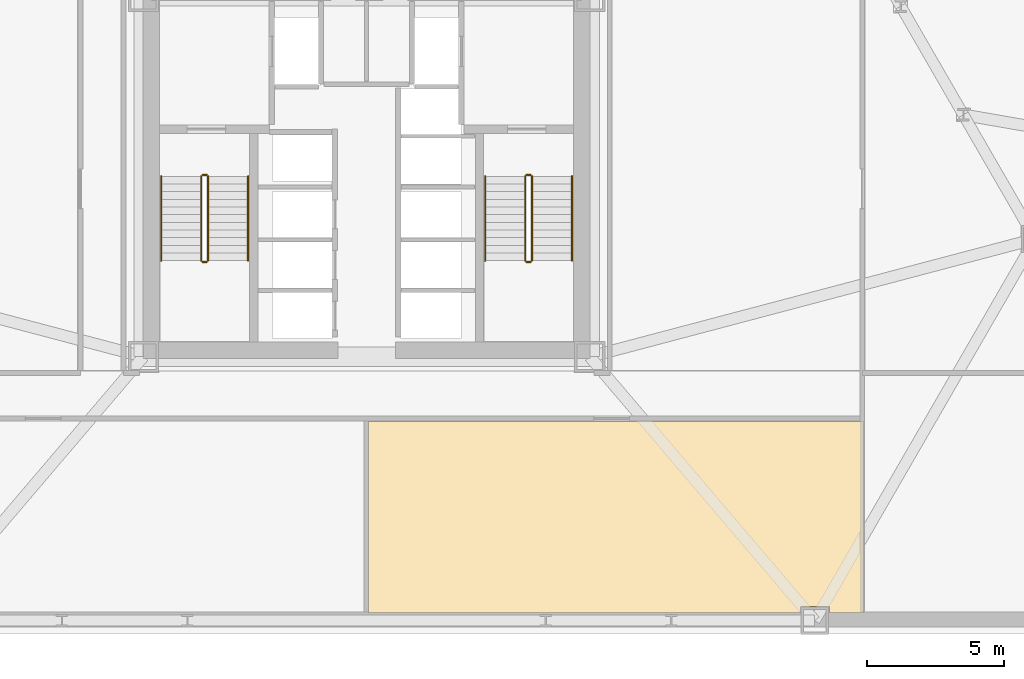
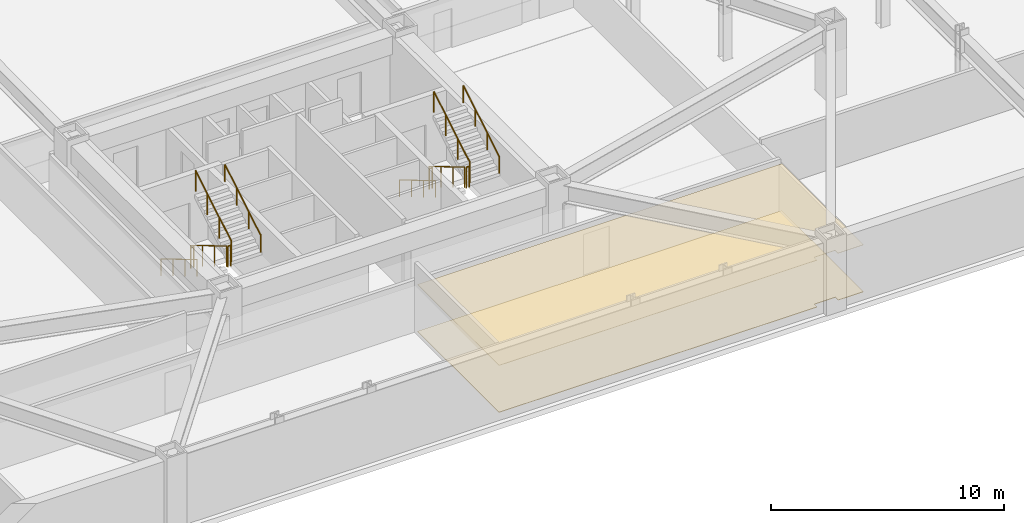
# One storey, part 9 of 10: 12 railings, 2 coverings.
"""IFC4 building model written with IfcOpenShell, lengths in metres."""

from ifc_helpers import new_model, si_unit, direction, frame, origin, origin_2d, place, context, subcontext, project, spatial, polyline, circle, outline, extrude, material, layer, layer_set, type_object, element, save


model = new_model("IFC4")

# Units and contexts
model_context = context("Model", 3, precision=1e-05, world=origin(), true_north=direction((0.0, 1.0)))
body_context = subcontext(model_context, "Body", "Model", "MODEL_VIEW")
ifc_project = project(units=[si_unit("LENGTHUNIT", "METRE"), si_unit("AREAUNIT", "SQUARE_METRE"), si_unit("VOLUMEUNIT", "CUBIC_METRE"), si_unit("PLANEANGLEUNIT", "RADIAN"), si_unit("MASSUNIT", "GRAM", prefix="KILO")], contexts=[model_context])

# Site, building, storey
site_placement = place(None, origin())
site = spatial("IfcSite", under=ifc_project, at=site_placement, CompositionType="ELEMENT")
building_placement = place(site_placement, origin())
building = spatial("IfcBuilding", under=site, at=building_placement, Name="Oramaril Tower", CompositionType="ELEMENT")
storey_placement = place(building_placement, frame((0.0, 0.0, -4.0)))
storey = spatial("IfcBuildingStorey", under=building, at=storey_placement, Name="B01", CompositionType="ELEMENT", Elevation=-4.0)

# Coverings
ifc_material_1 = material(Name="Mineral Fibre Acoustic Ceiling")
ifc_layer_1 = layer(ifc_material_1, 0.02001953125)
ifc_layer_set_1 = layer_set([ifc_layer_1], Name="CVT-CEIL")
covering_type_1 = type_object("IfcCoveringType", Name="CVT-CEIL", PredefinedType="CEILING", material=ifc_layer_set_1)
covering_1_placement = place(storey_placement, frame((0.0, 0.0, 2.4619140625)))
element("IfcCovering", 1, at=covering_1_placement, inside=storey, type_object=covering_type_1, Name="B01 Acoustic Suspended Ceiling 6", PredefinedType="CEILING", context=body_context, shape_type="SweptSolid", body=[
    extrude(outline(polyline([(55.64208984375, 1.637939453125), (54.382080078125, 1.637939453125), (54.382080078125, 1.8798828125), (53.342041015625, 1.8798828125), (53.342041015625, 1.637939453125), (37.56201171875, 1.637939453125), (37.56201171875, 8.64990234375), (55.64208984375, 8.64990234375), (55.64208984375, 1.637939453125)])), origin(), (0.0, 0.0, 1.0), 0.02001953125),
])
ifc_material_2 = material(Name="Honed Quartzite Stone Flooring", Category="masonry")
ifc_layer_2 = layer(ifc_material_2, 0.02490234375)
ifc_layer_set_2 = layer_set([ifc_layer_2], Name="CVT-FLR")
covering_type_2 = type_object("IfcCoveringType", Name="CVT-FLR", PredefinedType="FLOORING", material=ifc_layer_set_2)
covering_2_placement = place(storey_placement, origin())
element("IfcCovering", 2, at=covering_2_placement, inside=storey, type_object=covering_type_2, Name="B01 Honed Stone Floor Finish 6", PredefinedType="FLOORING", context=body_context, shape_type="SweptSolid", body=[
    extrude(outline(polyline([(55.64208984375, 1.637939453125), (54.382080078125, 1.637939453125), (54.382080078125, 1.8798828125), (53.342041015625, 1.8798828125), (53.342041015625, 1.637939453125), (37.56201171875, 1.637939453125), (37.56201171875, 8.64990234375), (55.64208984375, 8.64990234375), (55.64208984375, 1.637939453125)])), origin(), (0.0, 0.0, 1.0), 0.02490234375),
])

# Railings
ifc_material_3 = material(Name="Stainless Steel 316L", Category="steel")
railing_type_1 = type_object("IfcRailingType", Name="RLT-GRD", PredefinedType="GUARDRAIL", material=ifc_material_3)
railing_1_placement = place(storey_placement, frame((31.4599609375, 17.590087890625, 0.166748046875)))
element("IfcRailing", 3, at=railing_1_placement, inside=storey, type_object=railing_type_1, Name="B01 ST-1 stair guard 1", PredefinedType="GUARDRAIL", context=body_context, shape_type="SweptSolid", body=[
    extrude(circle(Radius=0.02392578125, at=origin_2d()), frame((0.0, 0.0, 1.076171875), z_axis=(0.0, -0.859308565015, 0.511457515432), x_axis=(1.0, 0.0, 0.0)), (0.0, 0.0, 1.0), 3.58447265625),
    extrude(circle(Radius=0.02099609375, at=origin_2d()), origin(), (0.0, 0.0, 1.0), 1.052001953125),
    extrude(circle(Radius=0.02099609375, at=origin_2d()), frame((0.0, -1.026611328125, 0.611083984375)), (0.0, 0.0, 1.0), 1.052001953125),
    extrude(circle(Radius=0.02099609375, at=origin_2d()), frame((0.0, -2.053466796875, 1.22216796875)), (0.0, 0.0, 1.0), 1.052001953125),
    extrude(circle(Radius=0.02099609375, at=origin_2d()), frame((0.0, -3.080078125, 1.833251953125)), (0.0, 0.0, 1.0), 1.052001953125),
])
railing_2_placement = place(storey_placement, frame((31.510009765625, 14.4599609375, 2.0)))
element("IfcRailing", 4, at=railing_2_placement, inside=storey, type_object=railing_type_1, Name="B01 ST-1 stair guard 2", PredefinedType="GUARDRAIL", context=body_context, shape_type="SweptSolid", body=[
    extrude(circle(Radius=0.02392578125, at=origin_2d()), frame((0.0, 0.0, 1.076171875), z_axis=(1.0, 0.0, 0.0), x_axis=(0.0, 1.0, 0.0)), (0.0, 0.0, 1.0), 0.14990234375),
    extrude(circle(Radius=0.02099609375, at=origin_2d()), origin(), (0.0, 0.0, 1.0), 1.052001953125),
    extrude(circle(Radius=0.02099609375, at=origin_2d()), frame((0.14990234375, 0.0, 0.0)), (0.0, 0.0, 1.0), 1.052001953125),
])
railing_3_placement = place(storey_placement, frame((31.7099609375, 14.510009765625, 2.166748046875)))
element("IfcRailing", 5, at=railing_3_placement, inside=storey, type_object=railing_type_1, Name="B01 ST-1 stair guard 3", PredefinedType="GUARDRAIL", context=body_context, shape_type="SweptSolid", body=[
    extrude(circle(Radius=0.02392578125, at=origin_2d()), frame((0.0, 0.0, 1.076171875), z_axis=(0.0, 0.859308565015, 0.511457515432), x_axis=(-1.0, 0.0, 0.0)), (0.0, 0.0, 1.0), 3.58447265625),
    extrude(circle(Radius=0.02099609375, at=origin_2d()), origin(), (0.0, 0.0, 1.0), 1.052001953125),
    extrude(circle(Radius=0.02099609375, at=origin_2d()), frame((0.0, 1.026611328125, 0.611083984375)), (0.0, 0.0, 1.0), 1.052001953125),
    extrude(circle(Radius=0.02099609375, at=origin_2d()), frame((0.0, 2.053466796875, 1.22216796875)), (0.0, 0.0, 1.0), 1.052001953125),
    extrude(circle(Radius=0.02099609375, at=origin_2d()), frame((0.0, 3.080078125, 1.833251953125)), (0.0, 0.0, 1.0), 1.052001953125),
])
railing_4_placement = place(storey_placement, frame((31.510009765625, 17.639892578125, 0.0)))
element("IfcRailing", 6, at=railing_4_placement, inside=storey, type_object=railing_type_1, Name="B01 ST-1 stair guard 4", PredefinedType="GUARDRAIL", context=body_context, shape_type="SweptSolid", body=[
    extrude(circle(Radius=0.02392578125, at=origin_2d()), frame((0.0, 0.0, 1.076171875), z_axis=(1.0, 0.0, 0.0), x_axis=(0.0, 1.0, 0.0)), (0.0, 0.0, 1.0), 0.14990234375),
    extrude(circle(Radius=0.02099609375, at=origin_2d()), origin(), (0.0, 0.0, 1.0), 1.052001953125),
    extrude(circle(Radius=0.02099609375, at=origin_2d()), frame((0.14990234375, 0.0, 0.0)), (0.0, 0.0, 1.0), 1.052001953125),
])
railing_5_placement = place(storey_placement, frame((43.2900390625, 17.590087890625, 0.166748046875)))
element("IfcRailing", 7, at=railing_5_placement, inside=storey, type_object=railing_type_1, Name="B01 ST-2 stair guard 1", PredefinedType="GUARDRAIL", context=body_context, shape_type="SweptSolid", body=[
    extrude(circle(Radius=0.02392578125, at=origin_2d()), frame((0.0, 0.0, 1.076171875), z_axis=(0.0, -0.859308565015, 0.511457515432), x_axis=(1.0, 0.0, 0.0)), (0.0, 0.0, 1.0), 3.58447265625),
    extrude(circle(Radius=0.02099609375, at=origin_2d()), origin(), (0.0, 0.0, 1.0), 1.052001953125),
    extrude(circle(Radius=0.02099609375, at=origin_2d()), frame((0.0, -1.026611328125, 0.611083984375)), (0.0, 0.0, 1.0), 1.052001953125),
    extrude(circle(Radius=0.02099609375, at=origin_2d()), frame((0.0, -2.053466796875, 1.22216796875)), (0.0, 0.0, 1.0), 1.052001953125),
    extrude(circle(Radius=0.02099609375, at=origin_2d()), frame((0.0, -3.080078125, 1.833251953125)), (0.0, 0.0, 1.0), 1.052001953125),
])
railing_6_placement = place(storey_placement, frame((43.340087890625, 14.4599609375, 2.0)))
element("IfcRailing", 8, at=railing_6_placement, inside=storey, type_object=railing_type_1, Name="B01 ST-2 stair guard 2", PredefinedType="GUARDRAIL", context=body_context, shape_type="SweptSolid", body=[
    extrude(circle(Radius=0.02392578125, at=origin_2d()), frame((0.0, 0.0, 1.076171875), z_axis=(1.0, 0.0, 0.0), x_axis=(0.0, 1.0, 0.0)), (0.0, 0.0, 1.0), 0.14990234375),
    extrude(circle(Radius=0.02099609375, at=origin_2d()), origin(), (0.0, 0.0, 1.0), 1.052001953125),
    extrude(circle(Radius=0.02099609375, at=origin_2d()), frame((0.14990234375, 0.0, 0.0)), (0.0, 0.0, 1.0), 1.052001953125),
])
railing_7_placement = place(storey_placement, frame((43.5400390625, 14.510009765625, 2.166748046875)))
element("IfcRailing", 9, at=railing_7_placement, inside=storey, type_object=railing_type_1, Name="B01 ST-2 stair guard 3", PredefinedType="GUARDRAIL", context=body_context, shape_type="SweptSolid", body=[
    extrude(circle(Radius=0.02392578125, at=origin_2d()), frame((0.0, 0.0, 1.076171875), z_axis=(0.0, 0.859308565015, 0.511457515432), x_axis=(-1.0, 0.0, 0.0)), (0.0, 0.0, 1.0), 3.58447265625),
    extrude(circle(Radius=0.02099609375, at=origin_2d()), origin(), (0.0, 0.0, 1.0), 1.052001953125),
    extrude(circle(Radius=0.02099609375, at=origin_2d()), frame((0.0, 1.026611328125, 0.611083984375)), (0.0, 0.0, 1.0), 1.052001953125),
    extrude(circle(Radius=0.02099609375, at=origin_2d()), frame((0.0, 2.053466796875, 1.22216796875)), (0.0, 0.0, 1.0), 1.052001953125),
    extrude(circle(Radius=0.02099609375, at=origin_2d()), frame((0.0, 3.080078125, 1.833251953125)), (0.0, 0.0, 1.0), 1.052001953125),
])
railing_8_placement = place(storey_placement, frame((43.340087890625, 17.639892578125, 0.0)))
element("IfcRailing", 10, at=railing_8_placement, inside=storey, type_object=railing_type_1, Name="B01 ST-2 stair guard 4", PredefinedType="GUARDRAIL", context=body_context, shape_type="SweptSolid", body=[
    extrude(circle(Radius=0.02392578125, at=origin_2d()), frame((0.0, 0.0, 1.076171875), z_axis=(1.0, 0.0, 0.0), x_axis=(0.0, 1.0, 0.0)), (0.0, 0.0, 1.0), 0.14990234375),
    extrude(circle(Radius=0.02099609375, at=origin_2d()), origin(), (0.0, 0.0, 1.0), 1.052001953125),
    extrude(circle(Radius=0.02099609375, at=origin_2d()), frame((0.14990234375, 0.0, 0.0)), (0.0, 0.0, 1.0), 1.052001953125),
])
ifc_material_4 = material(Name="Stainless Steel 316L", Category="steel")
railing_type_2 = type_object("IfcRailingType", Name="RLT-HND", PredefinedType="HANDRAIL", material=ifc_material_4)
railing_9_placement = place(storey_placement, frame((30.0, 17.590087890625, 0.166748046875)))
element("IfcRailing", 11, at=railing_9_placement, inside=storey, type_object=railing_type_2, Name="B01 ST-1 stair handrail 1", PredefinedType="HANDRAIL", context=body_context, shape_type="SweptSolid", body=[
    extrude(circle(Radius=0.02392578125, at=origin_2d()), frame((0.0, 0.0, 0.8759765625), z_axis=(0.0, -0.859308565015, 0.511457515432), x_axis=(1.0, 0.0, 0.0)), (0.0, 0.0, 1.0), 3.58447265625),
    extrude(circle(Radius=0.02099609375, at=origin_2d()), origin(), (0.0, 0.0, 1.0), 0.851806640625),
    extrude(circle(Radius=0.02099609375, at=origin_2d()), frame((0.0, -1.026611328125, 0.611083984375)), (0.0, 0.0, 1.0), 0.851806640625),
    extrude(circle(Radius=0.02099609375, at=origin_2d()), frame((0.0, -2.053466796875, 1.22216796875)), (0.0, 0.0, 1.0), 0.851806640625),
    extrude(circle(Radius=0.02099609375, at=origin_2d()), frame((0.0, -3.080078125, 1.833251953125)), (0.0, 0.0, 1.0), 0.851806640625),
])
railing_10_placement = place(storey_placement, frame((33.169921875, 14.510009765625, 2.166748046875)))
element("IfcRailing", 12, at=railing_10_placement, inside=storey, type_object=railing_type_2, Name="B01 ST-1 stair handrail 2", PredefinedType="HANDRAIL", context=body_context, shape_type="SweptSolid", body=[
    extrude(circle(Radius=0.02392578125, at=origin_2d()), frame((0.0, 0.0, 0.8759765625), z_axis=(0.0, 0.859308565015, 0.511457515432), x_axis=(-1.0, 0.0, 0.0)), (0.0, 0.0, 1.0), 3.58447265625),
    extrude(circle(Radius=0.02099609375, at=origin_2d()), origin(), (0.0, 0.0, 1.0), 0.851806640625),
    extrude(circle(Radius=0.02099609375, at=origin_2d()), frame((0.0, 1.026611328125, 0.611083984375)), (0.0, 0.0, 1.0), 0.851806640625),
    extrude(circle(Radius=0.02099609375, at=origin_2d()), frame((0.0, 2.053466796875, 1.22216796875)), (0.0, 0.0, 1.0), 0.851806640625),
    extrude(circle(Radius=0.02099609375, at=origin_2d()), frame((0.0, 3.080078125, 1.833251953125)), (0.0, 0.0, 1.0), 0.851806640625),
])
railing_11_placement = place(storey_placement, frame((41.830078125, 17.590087890625, 0.166748046875)))
element("IfcRailing", 13, at=railing_11_placement, inside=storey, type_object=railing_type_2, Name="B01 ST-2 stair handrail 1", PredefinedType="HANDRAIL", context=body_context, shape_type="SweptSolid", body=[
    extrude(circle(Radius=0.02392578125, at=origin_2d()), frame((0.0, 0.0, 0.8759765625), z_axis=(0.0, -0.859308565015, 0.511457515432), x_axis=(1.0, 0.0, 0.0)), (0.0, 0.0, 1.0), 3.58447265625),
    extrude(circle(Radius=0.02099609375, at=origin_2d()), origin(), (0.0, 0.0, 1.0), 0.851806640625),
    extrude(circle(Radius=0.02099609375, at=origin_2d()), frame((0.0, -1.026611328125, 0.611083984375)), (0.0, 0.0, 1.0), 0.851806640625),
    extrude(circle(Radius=0.02099609375, at=origin_2d()), frame((0.0, -2.053466796875, 1.22216796875)), (0.0, 0.0, 1.0), 0.851806640625),
    extrude(circle(Radius=0.02099609375, at=origin_2d()), frame((0.0, -3.080078125, 1.833251953125)), (0.0, 0.0, 1.0), 0.851806640625),
])
railing_12_placement = place(storey_placement, frame((45.0, 14.510009765625, 2.166748046875)))
element("IfcRailing", 14, at=railing_12_placement, inside=storey, type_object=railing_type_2, Name="B01 ST-2 stair handrail 2", PredefinedType="HANDRAIL", context=body_context, shape_type="SweptSolid", body=[
    extrude(circle(Radius=0.02392578125, at=origin_2d()), frame((0.0, 0.0, 0.8759765625), z_axis=(0.0, 0.859308565015, 0.511457515432), x_axis=(-1.0, 0.0, 0.0)), (0.0, 0.0, 1.0), 3.58447265625),
    extrude(circle(Radius=0.02099609375, at=origin_2d()), origin(), (0.0, 0.0, 1.0), 0.851806640625),
    extrude(circle(Radius=0.02099609375, at=origin_2d()), frame((0.0, 1.026611328125, 0.611083984375)), (0.0, 0.0, 1.0), 0.851806640625),
    extrude(circle(Radius=0.02099609375, at=origin_2d()), frame((0.0, 2.053466796875, 1.22216796875)), (0.0, 0.0, 1.0), 0.851806640625),
    extrude(circle(Radius=0.02099609375, at=origin_2d()), frame((0.0, 3.080078125, 1.833251953125)), (0.0, 0.0, 1.0), 0.851806640625),
])

save(model, "model.ifc")
